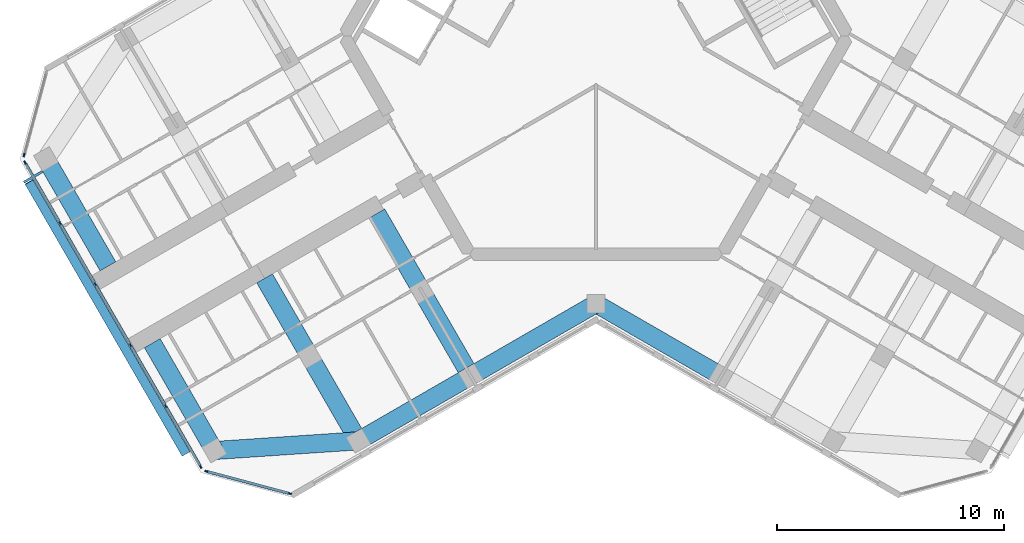
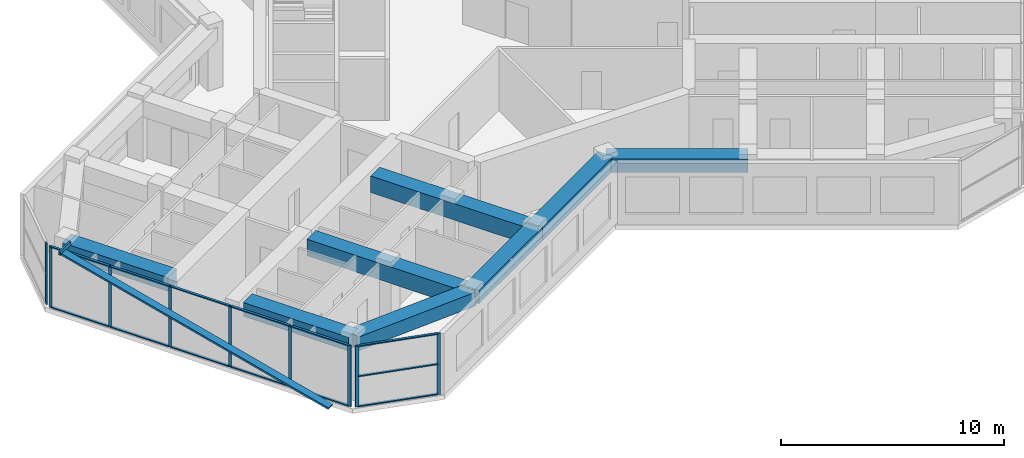
# One storey, part 2 of 14: 24 members, 8 beams, 3 elements without a shape of their own.
"""IFC4 building model written with IfcOpenShell, lengths in metres."""

import ifcopenshell
import ifcopenshell.guid

model = None  # the IFC model being written
_history = None  # IfcOwnerHistory: only IFC2X3 demands one
_inside = {}  # id of a spatial element -> (the spatial element, [elements in it])
_under = {}  # id of a project, library or spatial element -> (it, [spatial elements below it])
_declared = {}  # id of a project -> (the project, [libraries it declares])
_typed = {}  # id of a type object -> (the type object, [elements of that type])
_made_of = {}  # id of a material, layer set ... -> (it, [elements and type objects made of it])


def new_model(schema):
    """Start an empty IFC model of exactly this schema.

    Asked for "IFC4X3", IfcOpenShell would pick the latest addendum, in which some entities
    have other attributes; the version numbers below select the first issue.
    IFC2X3 requires an IfcOwnerHistory on every rooted entity: one is made here for all.
    """
    global model, _history
    if schema == "IFC4X3":
        model = ifcopenshell.file(schema_version=(4, 3, 0, 0))
    else:
        model = ifcopenshell.file(schema=schema)
    _inside.clear()
    _under.clear()
    _declared.clear()
    _typed.clear()
    _made_of.clear()
    _history = None
    if model.schema == "IFC2X3":
        org = make("IfcOrganization", Name="unknown")
        user = make(
            "IfcPersonAndOrganization",
            ThePerson=make("IfcPerson", FamilyName="unknown"),
            TheOrganization=org,
        )
        app = make(
            "IfcApplication",
            ApplicationDeveloper=org,
            Version="unknown",
            ApplicationFullName="unknown",
            ApplicationIdentifier="unknown",
        )
        _history = make(
            "IfcOwnerHistory",
            OwningUser=user,
            OwningApplication=app,
            ChangeAction="ADDED",
            CreationDate=0,
        )
    return model


def make(cls, **values):
    """One entity of the class cls with the attributes given. An attribute that is None is left unset."""
    return model.create_entity(
        cls, **{name: value for name, value in values.items() if value is not None}
    )


def rooted(cls, **values):
    """An entity with a GlobalId (a new one), such as an element, a storey or a relation."""
    return make(cls, GlobalId=ifcopenshell.guid.new(), OwnerHistory=_history, **values)


def si_unit(unit_type, name, prefix=None):
    """IfcSIUnit, for example si_unit("LENGTHUNIT", "METRE", prefix="MILLI")."""
    return make("IfcSIUnit", UnitType=unit_type, Prefix=prefix, Name=name)


def assignment(units):
    """IfcUnitAssignment: the units of a project."""
    return None if units is None else make("IfcUnitAssignment", Units=units)


def point(xyz):
    """IfcCartesianPoint."""
    return None if xyz is None else make("IfcCartesianPoint", Coordinates=xyz)


def direction(xyz):
    """IfcDirection."""
    return None if xyz is None else make("IfcDirection", DirectionRatios=xyz)


def frame(location, z_axis=None, x_axis=None):
    """IfcAxis2Placement3D, a coordinate frame: its origin and axes. An axis left out is left unset."""
    return make(
        "IfcAxis2Placement3D",
        Location=point(location),
        Axis=direction(z_axis),
        RefDirection=direction(x_axis),
    )


def frame_2d(location, x_axis=None):
    """IfcAxis2Placement2D, a coordinate frame in the plane: its origin and x axis."""
    return make(
        "IfcAxis2Placement2D", Location=point(location), RefDirection=direction(x_axis)
    )


def origin():
    """The frame at (0, 0, 0) with its axes left unset."""
    return frame((0.0, 0.0, 0.0))


def origin_2d():
    """The frame at (0, 0) in the plane with its x axis left unset."""
    return frame_2d((0.0, 0.0))


def place(relative_to, where):
    """IfcLocalPlacement: puts the frame where relative to a parent placement (None: the world)."""
    return make(
        "IfcLocalPlacement", PlacementRelTo=relative_to, RelativePlacement=where
    )


def context(
    kind, dimensions, precision=None, world=None, true_north=None, identifier=None
):
    """IfcGeometricRepresentationContext, for example the 3D "Model" context."""
    return make(
        "IfcGeometricRepresentationContext",
        ContextIdentifier=identifier,
        ContextType=kind,
        CoordinateSpaceDimension=dimensions,
        Precision=precision,
        WorldCoordinateSystem=world,
        TrueNorth=true_north,
    )


def subcontext(parent, identifier, kind, view, scale=None):
    """IfcGeometricRepresentationSubContext, for example "Body" below "Model"."""
    return make(
        "IfcGeometricRepresentationSubContext",
        ContextIdentifier=identifier,
        ContextType=kind,
        ParentContext=parent,
        TargetScale=scale,
        TargetView=view,
    )


def project(units=None, contexts=None):
    """IfcProject with its units and contexts."""
    return rooted(
        "IfcProject",
        Name="project",
        RepresentationContexts=contexts,
        UnitsInContext=assignment(units),
    )


def spatial(cls, under=None, at=None, **own):
    """A site, building, storey or space (cls), placed at a placement, below another one or the project."""
    s = rooted(cls, ObjectPlacement=at, **own)
    if under is not None:
        _under.setdefault(under.id(), (under, []))[1].append(s)
    return s


def profile(cls, at=None, kind="AREA", **sizes):
    """A parametric profile (cls). Its sizes go by their IFC names, for example OverallWidth=200.0."""
    return make(cls, ProfileType=kind, Position=at, **sizes)


def rectangle(**sizes):
    """IfcRectangleProfileDef."""
    return profile("IfcRectangleProfileDef", **sizes)


def hollow_rectangle(**sizes):
    """IfcRectangleHollowProfileDef."""
    return profile("IfcRectangleHollowProfileDef", **sizes)


def extrude(swept, where, along, depth):
    """IfcExtrudedAreaSolid: the profile swept, set in the frame where, extruded along a direction by depth."""
    return make(
        "IfcExtrudedAreaSolid",
        SweptArea=swept,
        Position=where,
        ExtrudedDirection=direction(along),
        Depth=depth,
    )


def shape(context_of_items, identifier, shape_type, items):
    """IfcShapeRepresentation: the items that make up one representation, for example the "Body"."""
    return make(
        "IfcShapeRepresentation",
        ContextOfItems=context_of_items,
        RepresentationIdentifier=identifier,
        RepresentationType=shape_type,
        Items=items,
    )


def material(Name=None, Category=None):
    """IfcMaterial."""
    return make("IfcMaterial", Name=Name, Category=Category)


def material_profile(
    of_material, cross_section, Name=None, Category=None, Priority=None
):
    """IfcMaterialProfile: a cross section and its material."""
    return make(
        "IfcMaterialProfile",
        Name=Name,
        Material=of_material,
        Profile=cross_section,
        Priority=Priority,
        Category=Category,
    )


def profile_set(profiles, Name=None, composite=None):
    """IfcMaterialProfileSet."""
    return make(
        "IfcMaterialProfileSet",
        Name=Name,
        MaterialProfiles=profiles,
        CompositeProfile=composite,
    )


def made_of(thing, what):
    """Note that an element or type object is made of a material, layer set ...; save() writes the relation."""
    if what is not None:
        _made_of.setdefault(what.id(), (what, []))[1].append(thing)
    return thing


def type_object(cls, material=None, **own):
    """A type object (cls), such as IfcWallType, which elements share."""
    return made_of(rooted(cls, **own), material)


def element(
    cls,
    number,
    at=None,
    inside=None,
    cuts=None,
    type_object=None,
    material=None,
    context=None,
    identifier="Body",
    shape_type=None,
    held_by="IfcProductDefinitionShape",
    body=None,
    shapes=None,
    **own,
):
    """One element of the class cls, such as IfcWall. Its Tag is "e" and its number.

    at: its placement. inside: the storey or other place that contains it. cuts: it is an
    opening in that element (IfcRelVoidsElement). A single representation is given by context,
    identifier, shape_type and body (its items); several are given by shapes. held_by: the class
    of the entity that holds the representations. save() writes the other relations.
    """
    e = rooted(cls, Tag="e%d" % number, ObjectPlacement=at, **own)
    if body is not None:
        shapes = [shape(context, identifier, shape_type, body)]
    if shapes is not None:
        e.Representation = make(held_by, Representations=shapes)
    if inside is not None:
        _inside.setdefault(inside.id(), (inside, []))[1].append(e)
    if cuts is not None:
        rooted(
            "IfcRelVoidsElement", RelatingBuildingElement=cuts, RelatedOpeningElement=e
        )
    if type_object is not None:
        _typed.setdefault(type_object.id(), (type_object, []))[1].append(e)
    return made_of(e, material)


def aggregate(whole, parts):
    """IfcRelAggregates: a whole, such as a stair, and the parts it consists of."""
    return rooted("IfcRelAggregates", RelatingObject=whole, RelatedObjects=parts)


def save(model, path):
    """Write the relations noted so far, then the file.

    IfcRelAggregates (storeys below a building ...), IfcRelContainedInSpatialStructure (elements
    in a storey), IfcRelDefinesByType, IfcRelAssociatesMaterial and IfcRelDeclares: one each for
    every whole, place, type object, material and project.
    """
    for whole, parts in _under.values():
        aggregate(whole, parts)
    for where, things in _inside.values():
        rooted(
            "IfcRelContainedInSpatialStructure",
            RelatedElements=things,
            RelatingStructure=where,
        )
    for kind, things in _typed.values():
        rooted("IfcRelDefinesByType", RelatedObjects=things, RelatingType=kind)
    for what, things in _made_of.values():
        rooted("IfcRelAssociatesMaterial", RelatedObjects=things, RelatingMaterial=what)
    for by, libraries in _declared.values():
        rooted("IfcRelDeclares", RelatingContext=by, RelatedDefinitions=libraries)
    model.write(path)


model = new_model("IFC4")

# Units and contexts
model_context = context("Model", 3, precision=1e-05, world=origin(), true_north=direction((0.0, 1.0)))
body_context = subcontext(model_context, "Body", "Model", "MODEL_VIEW")
ifc_project = project(units=[si_unit("LENGTHUNIT", "METRE"), si_unit("AREAUNIT", "SQUARE_METRE"), si_unit("VOLUMEUNIT", "CUBIC_METRE"), si_unit("PLANEANGLEUNIT", "RADIAN"), si_unit("MASSUNIT", "GRAM", prefix="KILO")], contexts=[model_context])

# Site, building, storey
site_placement = place(None, origin())
site = spatial("IfcSite", under=ifc_project, at=site_placement, CompositionType="ELEMENT")
building_placement = place(site_placement, origin())
building = spatial("IfcBuilding", under=site, at=building_placement, Name="Kosmar Iwan School Tower", CompositionType="ELEMENT")
storey_placement = place(building_placement, frame((0.0, 0.0, 281.800048828125)))
storey = spatial("IfcBuildingStorey", under=building, at=storey_placement, Name="L71", CompositionType="ELEMENT", Elevation=281.800048828125)

# Members
ifc_material_1 = material(Name="Black anodised aluminium", Category="aluminium")
ifc_material_profile_1 = material_profile(ifc_material_1, rectangle(XDim=0.10009765625, YDim=0.39990234375, at=origin_2d()), Name="FIN 100x400")
ifc_profile_set_1 = profile_set([ifc_material_profile_1], Name="Black anodised aluminium")
member_type_1 = type_object("IfcMemberType", Name="Diagonal fin 100x400", PredefinedType="USERDEFINED", material=ifc_profile_set_1)
member_1_placement = place(storey_placement, frame((-18.0283203125, -18.3740234375, -0.150146484375), z_axis=(-0.483800388566, 0.837965217343, 0.2524905514), x_axis=(0.126245460598, -0.218663124976, 0.96759935999)))
element("IfcMember", 1, at=member_1_placement, inside=storey, type_object=member_type_1, Name="Diagonal fin L71-F13", ObjectType="FIN", PredefinedType="USERDEFINED", context=body_context, shape_type="SweptSolid", body=[
    extrude(rectangle(XDim=0.10009765625, YDim=0.39990234375, at=origin_2d()), origin(), (0.0, 0.0, 1.0), 14.25830078125),
])
ifc_material_2 = material(Name="Steel S355", Category="steel")
ifc_material_profile_2 = material_profile(ifc_material_2, hollow_rectangle(XDim=0.10009765625, YDim=0.199951171875, WallThickness=0.008056640625, at=origin_2d()), Name="RHS 200x100x8")
ifc_profile_set_2 = profile_set([ifc_material_profile_2], Name="Steel S355")
member_type_2 = type_object("IfcMemberType", Name="Fin bracket RHS 200x100", PredefinedType="USERDEFINED", material=ifc_profile_set_2)
member_2_placement = place(storey_placement, frame((-24.327880859375, -5.962890625, 3.474853515625), z_axis=(-0.866100000774, -0.49987077196, 0.0), x_axis=(0.49987077196, -0.866100000774, 0.0)))
element("IfcMember", 2, at=member_2_placement, inside=storey, type_object=member_type_2, Name="Fin bracket L72", ObjectType="FIN BRACKET", PredefinedType="USERDEFINED", context=body_context, shape_type="SweptSolid", body=[
    extrude(hollow_rectangle(XDim=0.10009765625, YDim=0.199951171875, WallThickness=0.008056640625, at=origin_2d()), origin(), (0.0, 0.0, 1.0), 0.949951171875),
])

# Curtain wall, member
ifc_material_3 = material(Name="Dark glass in black aluminium frame", Category="aluminium")
curtain_wall_type_1 = type_object("IfcCurtainWallType", Name="Chamfer curtain wall dark glass", PredefinedType="USERDEFINED", material=ifc_material_3)
curtain_wall_1_placement = place(storey_placement, origin())
curtain_wall_1 = element("IfcCurtainWall", 3, at=curtain_wall_1_placement, inside=storey, type_object=curtain_wall_type_1, Name="Curtain wall L71-F12", ObjectType="FACETED CURTAIN WALL", PredefinedType="USERDEFINED")
ifc_material_4 = material(Name="Black anodised aluminium", Category="aluminium")
ifc_material_profile_3 = material_profile(ifc_material_4, rectangle(XDim=0.06005859375, YDim=0.159912109375, at=origin_2d()), Name="MULLION 60x160")
ifc_profile_set_3 = profile_set([ifc_material_profile_3], Name="Black anodised aluminium")
member_type_3 = type_object("IfcMemberType", Name="Mullion 60x160", PredefinedType="MULLION", material=ifc_profile_set_3)
member_3_placement = place(storey_placement, frame((-25.141845703125, -5.24853515625, 0.0), z_axis=(0.0, 0.0, 1.0), x_axis=(0.965925875495, -0.258818861462, 0.0)))
member_3 = element("IfcMember", 4, at=member_3_placement, type_object=member_type_3, Name="CW2 mullion 2", PredefinedType="MULLION", context=body_context, shape_type="SweptSolid", body=[
    extrude(rectangle(XDim=0.06005859375, YDim=0.159912109375, at=origin_2d()), origin(), (0.0, 0.0, 1.0), 3.349853515625),
])
aggregate(curtain_wall_1, [member_3])

# Curtain wall, members
ifc_material_5 = material(Name="Dark glass in black aluminium frame", Category="aluminium")
curtain_wall_type_2 = type_object("IfcCurtainWallType", Name="Tower curtain wall dark glass", PredefinedType="USERDEFINED", material=ifc_material_5)
curtain_wall_2_placement = place(storey_placement, origin())
curtain_wall_2 = element("IfcCurtainWall", 5, at=curtain_wall_2_placement, inside=storey, type_object=curtain_wall_type_2, Name="Curtain wall L71-F13", ObjectType="UNITISED CURTAIN WALL", PredefinedType="USERDEFINED")
member_4_placement = place(storey_placement, frame((-25.098388671875, -5.578369140625, 0.0), z_axis=(0.0, 0.0, 1.0), x_axis=(0.866025405329, 0.499999997325, 0.0)))
member_4 = element("IfcMember", 6, at=member_4_placement, type_object=member_type_3, Name="CW1 mullion 1", PredefinedType="MULLION", context=body_context, shape_type="SweptSolid", body=[
    extrude(rectangle(XDim=0.06005859375, YDim=0.159912109375, at=origin_2d()), origin(), (0.0, 0.0, 1.0), 3.349853515625),
])
member_5_placement = place(storey_placement, frame((-23.563720703125, -8.236328125, 0.0), z_axis=(0.0, 0.0, 1.0), x_axis=(0.866025405329, 0.499999997325, 0.0)))
member_5 = element("IfcMember", 7, at=member_5_placement, type_object=member_type_3, Name="CW1 mullion 2", PredefinedType="MULLION", context=body_context, shape_type="SweptSolid", body=[
    extrude(rectangle(XDim=0.06005859375, YDim=0.159912109375, at=origin_2d()), origin(), (0.0, 0.0, 1.0), 3.349853515625),
])
member_6_placement = place(storey_placement, frame((-22.01416015625, -10.92041015625, 0.0), z_axis=(0.0, 0.0, 1.0), x_axis=(0.866025405329, 0.499999997325, 0.0)))
member_6 = element("IfcMember", 8, at=member_6_placement, type_object=member_type_3, Name="CW1 mullion 3", PredefinedType="MULLION", context=body_context, shape_type="SweptSolid", body=[
    extrude(rectangle(XDim=0.06005859375, YDim=0.159912109375, at=origin_2d()), origin(), (0.0, 0.0, 1.0), 3.349853515625),
])
member_7_placement = place(storey_placement, frame((-20.46435546875, -13.6044921875, 0.0), z_axis=(0.0, 0.0, 1.0), x_axis=(0.866025405329, 0.499999997325, 0.0)))
member_7 = element("IfcMember", 9, at=member_7_placement, type_object=member_type_3, Name="CW1 mullion 4", PredefinedType="MULLION", context=body_context, shape_type="SweptSolid", body=[
    extrude(rectangle(XDim=0.06005859375, YDim=0.159912109375, at=origin_2d()), origin(), (0.0, 0.0, 1.0), 3.349853515625),
])
member_8_placement = place(storey_placement, frame((-18.914794921875, -16.28857421875, 0.0), z_axis=(0.0, 0.0, 1.0), x_axis=(0.866025405329, 0.499999997325, 0.0)))
member_8 = element("IfcMember", 10, at=member_8_placement, type_object=member_type_3, Name="CW1 mullion 5", PredefinedType="MULLION", context=body_context, shape_type="SweptSolid", body=[
    extrude(rectangle(XDim=0.06005859375, YDim=0.159912109375, at=origin_2d()), origin(), (0.0, 0.0, 1.0), 3.349853515625),
])
member_9_placement = place(storey_placement, frame((-17.380126953125, -18.94677734375, 0.0), z_axis=(0.0, 0.0, 1.0), x_axis=(0.866025405329, 0.499999997325, 0.0)))
member_9 = element("IfcMember", 11, at=member_9_placement, type_object=member_type_3, Name="CW1 mullion 6", PredefinedType="MULLION", context=body_context, shape_type="SweptSolid", body=[
    extrude(rectangle(XDim=0.06005859375, YDim=0.159912109375, at=origin_2d()), origin(), (0.0, 0.0, 1.0), 3.349853515625),
])

curtain_wall_3_placement = place(storey_placement, origin())
curtain_wall_3 = element("IfcCurtainWall", 12, at=curtain_wall_3_placement, inside=storey, type_object=curtain_wall_type_1, Name="Curtain wall L71-F14", ObjectType="FACETED CURTAIN WALL", PredefinedType="USERDEFINED")
member_10_placement = place(storey_placement, frame((-17.1162109375, -19.149169921875, 0.0), z_axis=(0.0, 0.0, 1.0), x_axis=(0.258818861462, 0.965925875495, 0.0)))
member_10 = element("IfcMember", 13, at=member_10_placement, type_object=member_type_3, Name="CW2 mullion 1", PredefinedType="MULLION", context=body_context, shape_type="SweptSolid", body=[
    extrude(rectangle(XDim=0.06005859375, YDim=0.159912109375, at=origin_2d()), origin(), (0.0, 0.0, 1.0), 3.349853515625),
])
member_11_placement = place(storey_placement, frame((-13.466064453125, -20.127197265625, 0.0), z_axis=(0.0, 0.0, 1.0), x_axis=(0.258818861462, 0.965925875495, 0.0)))
member_11 = element("IfcMember", 14, at=member_11_placement, type_object=member_type_3, Name="CW2 mullion 2", PredefinedType="MULLION", context=body_context, shape_type="SweptSolid", body=[
    extrude(rectangle(XDim=0.06005859375, YDim=0.159912109375, at=origin_2d()), origin(), (0.0, 0.0, 1.0), 3.349853515625),
])

# Beams
ifc_material_6 = material(Name="Concrete C50/60", Category="concrete")
ifc_material_profile_4 = material_profile(ifc_material_6, rectangle(XDim=0.800048828125, YDim=0.75, at=origin_2d()), Name="RC 800x750")
ifc_profile_set_4 = profile_set([ifc_material_profile_4], Name="Concrete C50/60")
beam_type_1 = type_object("IfcBeamType", Name="RC edge beam 800x750", PredefinedType="BEAM", material=ifc_profile_set_4)
beam_1_placement = place(storey_placement, frame((0.0, -11.77783203125, 2.974853515625), z_axis=(-0.866014293216, -0.500019243575, 0.0), x_axis=(0.500019243575, -0.866014293216, 0.0)))
element("IfcBeam", 15, at=beam_1_placement, inside=storey, type_object=beam_type_1, Name="Edge beam BL1", PredefinedType="BEAM", context=body_context, shape_type="SweptSolid", body=[
    extrude(rectangle(XDim=0.800048828125, YDim=0.75, at=origin_2d()), origin(), (0.0, 0.0, 1.0), 6.361083984375),
])
beam_2_placement = place(storey_placement, frame((-5.5087890625, -14.95849609375, 2.974853515625), z_axis=(-0.866033658841, -0.49998570155, 0.0), x_axis=(0.49998570155, -0.866033658841, 0.0)))
element("IfcBeam", 16, at=beam_2_placement, inside=storey, type_object=beam_type_1, Name="Edge beam BL2", PredefinedType="BEAM", context=body_context, shape_type="SweptSolid", body=[
    extrude(rectangle(XDim=0.800048828125, YDim=0.75, at=origin_2d()), origin(), (0.0, 0.0, 1.0), 5.699951171875),
])
beam_3_placement = place(storey_placement, frame((0.0, -11.77783203125, 2.974853515625), z_axis=(0.866014293216, -0.500019243575, 0.0), x_axis=(0.500019243575, 0.866014293216, 0.0)))
element("IfcBeam", 17, at=beam_3_placement, inside=storey, type_object=beam_type_1, Name="Edge beam CR1", PredefinedType="BEAM", context=body_context, shape_type="SweptSolid", body=[
    extrude(rectangle(XDim=0.800048828125, YDim=0.75, at=origin_2d()), origin(), (0.0, 0.0, 1.0), 6.361083984375),
])
ifc_material_7 = material(Name="Concrete C50/60", Category="concrete")
ifc_material_profile_5 = material_profile(ifc_material_7, rectangle(XDim=0.800048828125, YDim=0.75, at=origin_2d()), Name="RC 800x750")
ifc_profile_set_5 = profile_set([ifc_material_profile_5], Name="Concrete C50/60")
beam_type_2 = type_object("IfcBeamType", Name="RC tip beam 800x750", PredefinedType="BEAM", material=ifc_profile_set_5)
beam_4_placement = place(storey_placement, frame((-10.445068359375, -17.808349609375, 2.974853515625), z_axis=(-0.997755118724, -0.066968074933, 0.0), x_axis=(0.066968074933, -0.997755118724, 0.0)))
element("IfcBeam", 18, at=beam_4_placement, inside=storey, type_object=beam_type_2, Name="Tip beam BL", PredefinedType="BEAM", context=body_context, shape_type="SweptSolid", body=[
    extrude(rectangle(XDim=0.800048828125, YDim=0.75, at=origin_2d()), origin(), (0.0, 0.0, 1.0), 6.3505859375),
])
beam_5_placement = place(storey_placement, frame((-16.781494140625, -18.233642578125, 2.974853515625), z_axis=(-0.500002931134, 0.866023711487, 0.0), x_axis=(-0.866023711487, -0.500002931134, 0.0)))
element("IfcBeam", 19, at=beam_5_placement, inside=storey, type_object=beam_type_2, Name="Tip beam BL to corridor wall", PredefinedType="BEAM", context=body_context, shape_type="SweptSolid", body=[
    extrude(rectangle(XDim=0.800048828125, YDim=0.75, at=origin_2d()), origin(), (0.0, 0.0, 1.0), 5.4501953125),
])
beam_6_placement = place(storey_placement, frame((-24.181396484375, -5.41650390625, 2.974853515625), z_axis=(0.499988730927, -0.866031909889, 0.0), x_axis=(0.866031909889, 0.499988730927, 0.0)))
element("IfcBeam", 20, at=beam_6_placement, inside=storey, type_object=beam_type_2, Name="Tip beam BR to corridor wall", PredefinedType="BEAM", context=body_context, shape_type="SweptSolid", body=[
    extrude(rectangle(XDim=0.800048828125, YDim=0.75, at=origin_2d()), origin(), (0.0, 0.0, 1.0), 5.449951171875),
])
ifc_material_8 = material(Name="Concrete C50/60", Category="concrete")
ifc_material_profile_6 = material_profile(ifc_material_8, rectangle(XDim=0.800048828125, YDim=0.89990234375, at=origin_2d()), Name="RC 800x900")
ifc_profile_set_6 = profile_set([ifc_material_profile_6], Name="Concrete C50/60")
beam_type_3 = type_object("IfcBeamType", Name="RC transverse beam 800x900", PredefinedType="BEAM", material=ifc_profile_set_6)
beam_7_placement = place(storey_placement, frame((-5.5087890625, -14.95849609375, 2.89990234375), z_axis=(-0.499996545922, 0.866027397988, 0.0), x_axis=(-0.866027397988, -0.499996545922, 0.0)))
element("IfcBeam", 21, at=beam_7_placement, inside=storey, type_object=beam_type_3, Name="Transverse beam BL1", PredefinedType="BEAM", context=body_context, shape_type="SweptSolid", body=[
    extrude(rectangle(XDim=0.800048828125, YDim=0.89990234375, at=origin_2d()), origin(), (0.0, 0.0, 1.0), 8.25),
])
beam_8_placement = place(storey_placement, frame((-10.445068359375, -17.808349609375, 2.89990234375), z_axis=(-0.500009360108, 0.866019999656, 0.0), x_axis=(-0.866019999656, -0.500009360108, 0.0)))
element("IfcBeam", 22, at=beam_8_placement, inside=storey, type_object=beam_type_3, Name="Transverse beam BL2", PredefinedType="BEAM", context=body_context, shape_type="SweptSolid", body=[
    extrude(rectangle(XDim=0.800048828125, YDim=0.89990234375, at=origin_2d()), origin(), (0.0, 0.0, 1.0), 8.249755859375),
])

# Member
ifc_material_9 = material(Name="Black anodised aluminium", Category="aluminium")
ifc_material_profile_7 = material_profile(ifc_material_9, rectangle(XDim=0.1201171875, YDim=0.06005859375, at=origin_2d()), Name="TRANSOM 60x120")
ifc_profile_set_7 = profile_set([ifc_material_profile_7], Name="Black anodised aluminium")
member_type_4 = type_object("IfcMemberType", Name="Transom 60x120", PredefinedType="USERDEFINED", material=ifc_profile_set_7)
member_12_placement = place(storey_placement, frame((-25.08349609375, -5.604248046875, 0.030029296875), z_axis=(0.499986971506, -0.866032925658, 0.0), x_axis=(0.866032925658, 0.499986971506, 0.0)))
member_12 = element("IfcMember", 23, at=member_12_placement, type_object=member_type_4, Name="CW1 transom 1.1", ObjectType="TRANSOM", PredefinedType="USERDEFINED", context=body_context, shape_type="SweptSolid", body=[
    extrude(rectangle(XDim=0.1201171875, YDim=0.06005859375, at=origin_2d()), origin(), (0.0, 0.0, 1.0), 3.00927734375),
])

member_13_placement = place(storey_placement, frame((-25.08349609375, -5.604248046875, 3.320068359375), z_axis=(0.499986971506, -0.866032925658, 0.0), x_axis=(0.866032925658, 0.499986971506, 0.0)))
member_13 = element("IfcMember", 24, at=member_13_placement, type_object=member_type_4, Name="CW1 transom 1.2", ObjectType="TRANSOM", PredefinedType="USERDEFINED", context=body_context, shape_type="SweptSolid", body=[
    extrude(rectangle(XDim=0.1201171875, YDim=0.06005859375, at=origin_2d()), origin(), (0.0, 0.0, 1.0), 3.00927734375),
])

member_14_placement = place(storey_placement, frame((-23.548828125, -8.262451171875, 0.030029296875), z_axis=(0.500035348339, -0.866004994449, 0.0), x_axis=(0.866004994449, 0.500035348339, 0.0)))
member_14 = element("IfcMember", 25, at=member_14_placement, type_object=member_type_4, Name="CW1 transom 2.1", ObjectType="TRANSOM", PredefinedType="USERDEFINED", context=body_context, shape_type="SweptSolid", body=[
    extrude(rectangle(XDim=0.1201171875, YDim=0.06005859375, at=origin_2d()), origin(), (0.0, 0.0, 1.0), 3.039306640625),
])

member_15_placement = place(storey_placement, frame((-23.548828125, -8.262451171875, 3.320068359375), z_axis=(0.500035348339, -0.866004994449, 0.0), x_axis=(0.866004994449, 0.500035348339, 0.0)))
member_15 = element("IfcMember", 26, at=member_15_placement, type_object=member_type_4, Name="CW1 transom 2.2", ObjectType="TRANSOM", PredefinedType="USERDEFINED", context=body_context, shape_type="SweptSolid", body=[
    extrude(rectangle(XDim=0.1201171875, YDim=0.06005859375, at=origin_2d()), origin(), (0.0, 0.0, 1.0), 3.039306640625),
])

member_16_placement = place(storey_placement, frame((-21.9990234375, -10.946533203125, 0.030029296875), z_axis=(0.499975102327, -0.866039777986, 0.0), x_axis=(0.866039777986, 0.499975102327, 0.0)))
member_16 = element("IfcMember", 27, at=member_16_placement, type_object=member_type_4, Name="CW1 transom 3.1", ObjectType="TRANSOM", PredefinedType="USERDEFINED", context=body_context, shape_type="SweptSolid", body=[
    extrude(rectangle(XDim=0.1201171875, YDim=0.06005859375, at=origin_2d()), origin(), (0.0, 0.0, 1.0), 3.039306640625),
])

member_17_placement = place(storey_placement, frame((-21.9990234375, -10.946533203125, 3.320068359375), z_axis=(0.499975102327, -0.866039777986, 0.0), x_axis=(0.866039777986, 0.499975102327, 0.0)))
member_17 = element("IfcMember", 28, at=member_17_placement, type_object=member_type_4, Name="CW1 transom 3.2", ObjectType="TRANSOM", PredefinedType="USERDEFINED", context=body_context, shape_type="SweptSolid", body=[
    extrude(rectangle(XDim=0.1201171875, YDim=0.06005859375, at=origin_2d()), origin(), (0.0, 0.0, 1.0), 3.039306640625),
])

member_18_placement = place(storey_placement, frame((-20.449462890625, -13.630615234375, 0.030029296875), z_axis=(0.500035348339, -0.866004994449, 0.0), x_axis=(0.866004994449, 0.500035348339, 0.0)))
member_18 = element("IfcMember", 29, at=member_18_placement, type_object=member_type_4, Name="CW1 transom 4.1", ObjectType="TRANSOM", PredefinedType="USERDEFINED", context=body_context, shape_type="SweptSolid", body=[
    extrude(rectangle(XDim=0.1201171875, YDim=0.06005859375, at=origin_2d()), origin(), (0.0, 0.0, 1.0), 3.039306640625),
])

member_19_placement = place(storey_placement, frame((-20.449462890625, -13.630615234375, 3.320068359375), z_axis=(0.500035348339, -0.866004994449, 0.0), x_axis=(0.866004994449, 0.500035348339, 0.0)))
member_19 = element("IfcMember", 30, at=member_19_placement, type_object=member_type_4, Name="CW1 transom 4.2", ObjectType="TRANSOM", PredefinedType="USERDEFINED", context=body_context, shape_type="SweptSolid", body=[
    extrude(rectangle(XDim=0.1201171875, YDim=0.06005859375, at=origin_2d()), origin(), (0.0, 0.0, 1.0), 3.039306640625),
])

member_20_placement = place(storey_placement, frame((-18.89990234375, -16.314697265625, 0.030029296875), z_axis=(0.500022102064, -0.866012642776, 0.0), x_axis=(0.866012642776, 0.500022102064, 0.0)))
member_20 = element("IfcMember", 31, at=member_20_placement, type_object=member_type_4, Name="CW1 transom 5.1", ObjectType="TRANSOM", PredefinedType="USERDEFINED", context=body_context, shape_type="SweptSolid", body=[
    extrude(rectangle(XDim=0.1201171875, YDim=0.06005859375, at=origin_2d()), origin(), (0.0, 0.0, 1.0), 3.009033203125),
])

member_21_placement = place(storey_placement, frame((-18.89990234375, -16.314697265625, 3.320068359375), z_axis=(0.500022102064, -0.866012642776, 0.0), x_axis=(0.866012642776, 0.500022102064, 0.0)))
member_21 = element("IfcMember", 32, at=member_21_placement, type_object=member_type_4, Name="CW1 transom 5.2", ObjectType="TRANSOM", PredefinedType="USERDEFINED", context=body_context, shape_type="SweptSolid", body=[
    extrude(rectangle(XDim=0.1201171875, YDim=0.06005859375, at=origin_2d()), origin(), (0.0, 0.0, 1.0), 3.009033203125),
])

aggregate(curtain_wall_2, [member_4, member_5, member_6, member_7, member_8, member_9, member_12, member_13, member_14, member_15, member_16, member_17, member_18, member_19, member_20, member_21])

member_22_placement = place(storey_placement, frame((-17.08740234375, -19.156982421875, 0.030029296875), z_axis=(0.965940141052, -0.258765615768, 0.0), x_axis=(0.258765615768, 0.965940141052, 0.0)))
member_22 = element("IfcMember", 33, at=member_22_placement, type_object=member_type_4, Name="CW2 transom 1.1", ObjectType="TRANSOM", PredefinedType="USERDEFINED", context=body_context, shape_type="SweptSolid", body=[
    extrude(rectangle(XDim=0.1201171875, YDim=0.06005859375, at=origin_2d()), origin(), (0.0, 0.0, 1.0), 3.71923828125),
])

member_23_placement = place(storey_placement, frame((-17.08740234375, -19.156982421875, 1.675048828125), z_axis=(0.965940141052, -0.258765615768, 0.0), x_axis=(0.258765615768, 0.965940141052, 0.0)))
member_23 = element("IfcMember", 34, at=member_23_placement, type_object=member_type_4, Name="CW2 transom 1.2", ObjectType="TRANSOM", PredefinedType="USERDEFINED", context=body_context, shape_type="SweptSolid", body=[
    extrude(rectangle(XDim=0.1201171875, YDim=0.06005859375, at=origin_2d()), origin(), (0.0, 0.0, 1.0), 3.71923828125),
])

member_24_placement = place(storey_placement, frame((-17.08740234375, -19.156982421875, 3.320068359375), z_axis=(0.965940141052, -0.258765615768, 0.0), x_axis=(0.258765615768, 0.965940141052, 0.0)))
member_24 = element("IfcMember", 35, at=member_24_placement, type_object=member_type_4, Name="CW2 transom 1.3", ObjectType="TRANSOM", PredefinedType="USERDEFINED", context=body_context, shape_type="SweptSolid", body=[
    extrude(rectangle(XDim=0.1201171875, YDim=0.06005859375, at=origin_2d()), origin(), (0.0, 0.0, 1.0), 3.71923828125),
])

aggregate(curtain_wall_3, [member_10, member_11, member_22, member_23, member_24])

save(model, "model.ifc")
